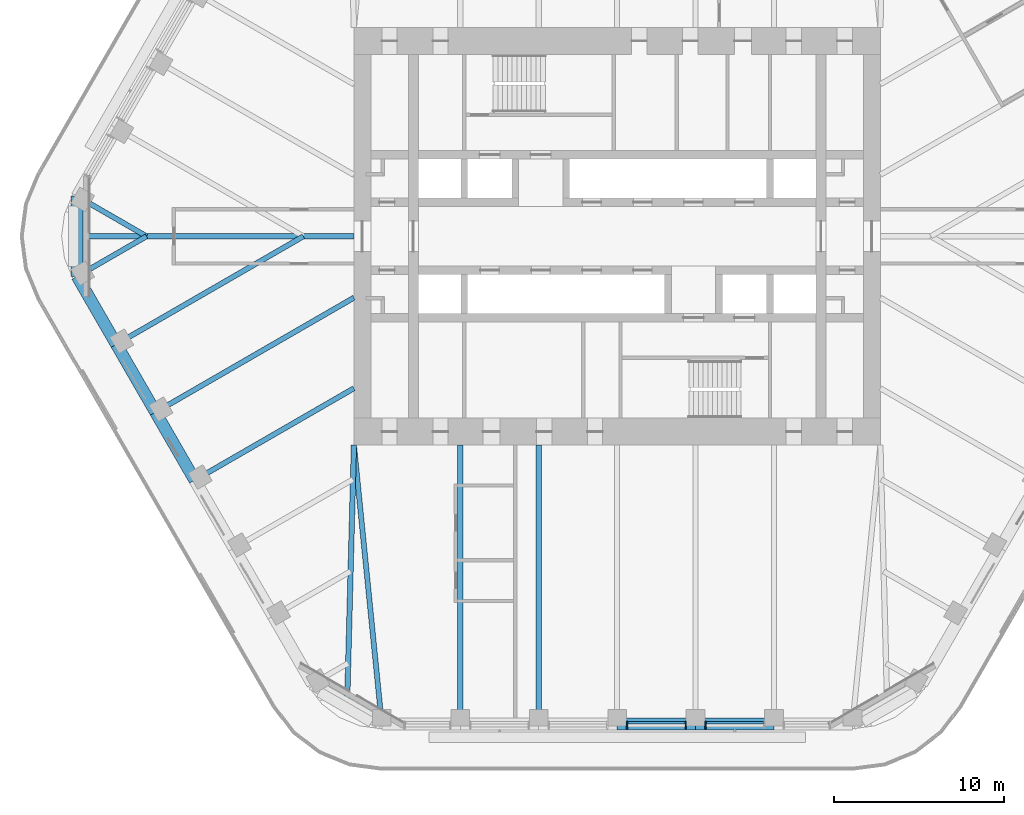
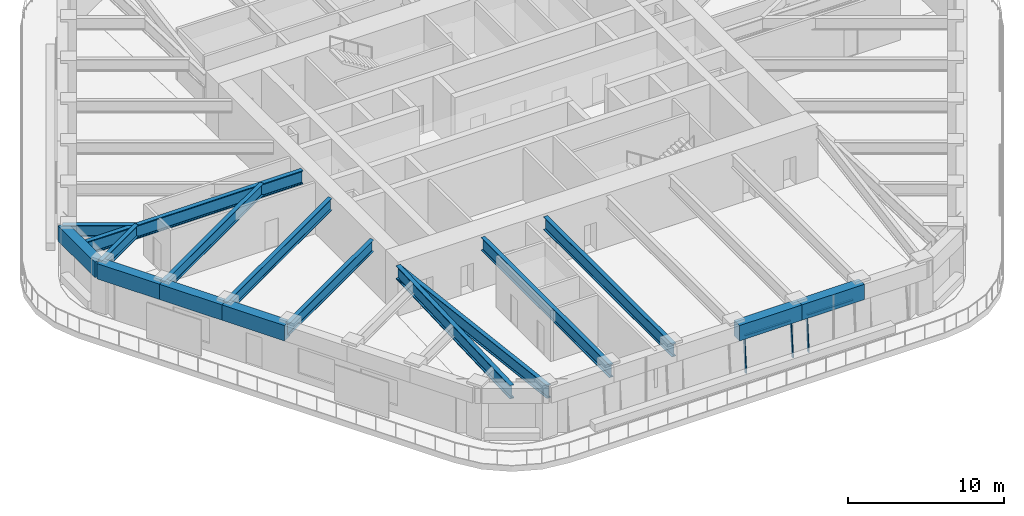
# One storey, part 3 of 20: 16 beams, 5 members, 2 elements without a shape of their own.
"""IFC4 building model written with IfcOpenShell, lengths in metres."""

import ifcopenshell
import ifcopenshell.guid

model = None  # the IFC model being written
_history = None  # IfcOwnerHistory: only IFC2X3 demands one
_inside = {}  # id of a spatial element -> (the spatial element, [elements in it])
_under = {}  # id of a project, library or spatial element -> (it, [spatial elements below it])
_declared = {}  # id of a project -> (the project, [libraries it declares])
_typed = {}  # id of a type object -> (the type object, [elements of that type])
_made_of = {}  # id of a material, layer set ... -> (it, [elements and type objects made of it])


def new_model(schema):
    """Start an empty IFC model of exactly this schema.

    Asked for "IFC4X3", IfcOpenShell would pick the latest addendum, in which some entities
    have other attributes; the version numbers below select the first issue.
    IFC2X3 requires an IfcOwnerHistory on every rooted entity: one is made here for all.
    """
    global model, _history
    if schema == "IFC4X3":
        model = ifcopenshell.file(schema_version=(4, 3, 0, 0))
    else:
        model = ifcopenshell.file(schema=schema)
    _inside.clear()
    _under.clear()
    _declared.clear()
    _typed.clear()
    _made_of.clear()
    _history = None
    if model.schema == "IFC2X3":
        org = make("IfcOrganization", Name="unknown")
        user = make(
            "IfcPersonAndOrganization",
            ThePerson=make("IfcPerson", FamilyName="unknown"),
            TheOrganization=org,
        )
        app = make(
            "IfcApplication",
            ApplicationDeveloper=org,
            Version="unknown",
            ApplicationFullName="unknown",
            ApplicationIdentifier="unknown",
        )
        _history = make(
            "IfcOwnerHistory",
            OwningUser=user,
            OwningApplication=app,
            ChangeAction="ADDED",
            CreationDate=0,
        )
    return model


def make(cls, **values):
    """One entity of the class cls with the attributes given. An attribute that is None is left unset."""
    return model.create_entity(
        cls, **{name: value for name, value in values.items() if value is not None}
    )


def rooted(cls, **values):
    """An entity with a GlobalId (a new one), such as an element, a storey or a relation."""
    return make(cls, GlobalId=ifcopenshell.guid.new(), OwnerHistory=_history, **values)


def si_unit(unit_type, name, prefix=None):
    """IfcSIUnit, for example si_unit("LENGTHUNIT", "METRE", prefix="MILLI")."""
    return make("IfcSIUnit", UnitType=unit_type, Prefix=prefix, Name=name)


def assignment(units):
    """IfcUnitAssignment: the units of a project."""
    return None if units is None else make("IfcUnitAssignment", Units=units)


def point(xyz):
    """IfcCartesianPoint."""
    return None if xyz is None else make("IfcCartesianPoint", Coordinates=xyz)


def direction(xyz):
    """IfcDirection."""
    return None if xyz is None else make("IfcDirection", DirectionRatios=xyz)


def frame(location, z_axis=None, x_axis=None):
    """IfcAxis2Placement3D, a coordinate frame: its origin and axes. An axis left out is left unset."""
    return make(
        "IfcAxis2Placement3D",
        Location=point(location),
        Axis=direction(z_axis),
        RefDirection=direction(x_axis),
    )


def frame_2d(location, x_axis=None):
    """IfcAxis2Placement2D, a coordinate frame in the plane: its origin and x axis."""
    return make(
        "IfcAxis2Placement2D", Location=point(location), RefDirection=direction(x_axis)
    )


def origin():
    """The frame at (0, 0, 0) with its axes left unset."""
    return frame((0.0, 0.0, 0.0))


def origin_2d():
    """The frame at (0, 0) in the plane with its x axis left unset."""
    return frame_2d((0.0, 0.0))


def place(relative_to, where):
    """IfcLocalPlacement: puts the frame where relative to a parent placement (None: the world)."""
    return make(
        "IfcLocalPlacement", PlacementRelTo=relative_to, RelativePlacement=where
    )


def context(
    kind, dimensions, precision=None, world=None, true_north=None, identifier=None
):
    """IfcGeometricRepresentationContext, for example the 3D "Model" context."""
    return make(
        "IfcGeometricRepresentationContext",
        ContextIdentifier=identifier,
        ContextType=kind,
        CoordinateSpaceDimension=dimensions,
        Precision=precision,
        WorldCoordinateSystem=world,
        TrueNorth=true_north,
    )


def subcontext(parent, identifier, kind, view, scale=None):
    """IfcGeometricRepresentationSubContext, for example "Body" below "Model"."""
    return make(
        "IfcGeometricRepresentationSubContext",
        ContextIdentifier=identifier,
        ContextType=kind,
        ParentContext=parent,
        TargetScale=scale,
        TargetView=view,
    )


def project(units=None, contexts=None):
    """IfcProject with its units and contexts."""
    return rooted(
        "IfcProject",
        Name="project",
        RepresentationContexts=contexts,
        UnitsInContext=assignment(units),
    )


def spatial(cls, under=None, at=None, **own):
    """A site, building, storey or space (cls), placed at a placement, below another one or the project."""
    s = rooted(cls, ObjectPlacement=at, **own)
    if under is not None:
        _under.setdefault(under.id(), (under, []))[1].append(s)
    return s


def profile(cls, at=None, kind="AREA", **sizes):
    """A parametric profile (cls). Its sizes go by their IFC names, for example OverallWidth=200.0."""
    return make(cls, ProfileType=kind, Position=at, **sizes)


def rectangle(**sizes):
    """IfcRectangleProfileDef."""
    return profile("IfcRectangleProfileDef", **sizes)


def i_section(**sizes):
    """IfcIShapeProfileDef."""
    return profile("IfcIShapeProfileDef", **sizes)


def extrude(swept, where, along, depth):
    """IfcExtrudedAreaSolid: the profile swept, set in the frame where, extruded along a direction by depth."""
    return make(
        "IfcExtrudedAreaSolid",
        SweptArea=swept,
        Position=where,
        ExtrudedDirection=direction(along),
        Depth=depth,
    )


def shape(context_of_items, identifier, shape_type, items):
    """IfcShapeRepresentation: the items that make up one representation, for example the "Body"."""
    return make(
        "IfcShapeRepresentation",
        ContextOfItems=context_of_items,
        RepresentationIdentifier=identifier,
        RepresentationType=shape_type,
        Items=items,
    )


def material(Name=None, Category=None):
    """IfcMaterial."""
    return make("IfcMaterial", Name=Name, Category=Category)


def material_profile(
    of_material, cross_section, Name=None, Category=None, Priority=None
):
    """IfcMaterialProfile: a cross section and its material."""
    return make(
        "IfcMaterialProfile",
        Name=Name,
        Material=of_material,
        Profile=cross_section,
        Priority=Priority,
        Category=Category,
    )


def profile_set(profiles, Name=None, composite=None):
    """IfcMaterialProfileSet."""
    return make(
        "IfcMaterialProfileSet",
        Name=Name,
        MaterialProfiles=profiles,
        CompositeProfile=composite,
    )


def made_of(thing, what):
    """Note that an element or type object is made of a material, layer set ...; save() writes the relation."""
    if what is not None:
        _made_of.setdefault(what.id(), (what, []))[1].append(thing)
    return thing


def type_object(cls, material=None, **own):
    """A type object (cls), such as IfcWallType, which elements share."""
    return made_of(rooted(cls, **own), material)


def element(
    cls,
    number,
    at=None,
    inside=None,
    cuts=None,
    type_object=None,
    material=None,
    context=None,
    identifier="Body",
    shape_type=None,
    held_by="IfcProductDefinitionShape",
    body=None,
    shapes=None,
    **own,
):
    """One element of the class cls, such as IfcWall. Its Tag is "e" and its number.

    at: its placement. inside: the storey or other place that contains it. cuts: it is an
    opening in that element (IfcRelVoidsElement). A single representation is given by context,
    identifier, shape_type and body (its items); several are given by shapes. held_by: the class
    of the entity that holds the representations. save() writes the other relations.
    """
    e = rooted(cls, Tag="e%d" % number, ObjectPlacement=at, **own)
    if body is not None:
        shapes = [shape(context, identifier, shape_type, body)]
    if shapes is not None:
        e.Representation = make(held_by, Representations=shapes)
    if inside is not None:
        _inside.setdefault(inside.id(), (inside, []))[1].append(e)
    if cuts is not None:
        rooted(
            "IfcRelVoidsElement", RelatingBuildingElement=cuts, RelatedOpeningElement=e
        )
    if type_object is not None:
        _typed.setdefault(type_object.id(), (type_object, []))[1].append(e)
    return made_of(e, material)


def aggregate(whole, parts):
    """IfcRelAggregates: a whole, such as a stair, and the parts it consists of."""
    return rooted("IfcRelAggregates", RelatingObject=whole, RelatedObjects=parts)


def save(model, path):
    """Write the relations noted so far, then the file.

    IfcRelAggregates (storeys below a building ...), IfcRelContainedInSpatialStructure (elements
    in a storey), IfcRelDefinesByType, IfcRelAssociatesMaterial and IfcRelDeclares: one each for
    every whole, place, type object, material and project.
    """
    for whole, parts in _under.values():
        aggregate(whole, parts)
    for where, things in _inside.values():
        rooted(
            "IfcRelContainedInSpatialStructure",
            RelatedElements=things,
            RelatingStructure=where,
        )
    for kind, things in _typed.values():
        rooted("IfcRelDefinesByType", RelatedObjects=things, RelatingType=kind)
    for what, things in _made_of.values():
        rooted("IfcRelAssociatesMaterial", RelatedObjects=things, RelatingMaterial=what)
    for by, libraries in _declared.values():
        rooted("IfcRelDeclares", RelatingContext=by, RelatedDefinitions=libraries)
    model.write(path)


model = new_model("IFC4")

# Units and contexts
model_context = context("Model", 3, precision=1e-05, world=origin(), true_north=direction((0.0, 1.0)))
body_context = subcontext(model_context, "Body", "Model", "MODEL_VIEW")
ifc_project = project(units=[si_unit("LENGTHUNIT", "METRE"), si_unit("AREAUNIT", "SQUARE_METRE"), si_unit("VOLUMEUNIT", "CUBIC_METRE"), si_unit("PLANEANGLEUNIT", "RADIAN"), si_unit("MASSUNIT", "GRAM", prefix="KILO")], contexts=[model_context])

# Site, building, storey
site_placement = place(None, origin())
site = spatial("IfcSite", under=ifc_project, at=site_placement, CompositionType="ELEMENT")
building_placement = place(site_placement, origin())
building = spatial("IfcBuilding", under=site, at=building_placement, Name="Tarfa Lantern Tower", CompositionType="ELEMENT")
storey_placement = place(building_placement, frame((0.0, 0.0, 291.10009765625)))
storey = spatial("IfcBuildingStorey", under=building, at=storey_placement, Name="L66", CompositionType="ELEMENT", Elevation=291.10009765625)

# Curtain wall, members
ifc_material_1 = material(Name="Aluminium framed curtain wall", Category="aluminium")
curtain_wall_type = type_object("IfcCurtainWallType", Name="CW3 CANTED GLAZING HIGH ZONE 2800", PredefinedType="USERDEFINED", material=ifc_material_1)
curtain_wall_1_placement = place(storey_placement, origin())
curtain_wall_1 = element("IfcCurtainWall", 1, at=curtain_wall_1_placement, inside=storey, type_object=curtain_wall_type, Name="CW3 S L66", ObjectType="CURTAIN WALL", PredefinedType="USERDEFINED")
ifc_material_2 = material(Name="Aluminium mullion", Category="aluminium")
ifc_material_profile_1 = material_profile(ifc_material_2, rectangle(XDim=0.06494140625, YDim=0.199951171875, at=origin_2d()), Name="AL MULLION 65x200")
ifc_profile_set_1 = profile_set([ifc_material_profile_1], Name="Aluminium mullion")
member_type_1 = type_object("IfcMemberType", Name="CWM1 MULLION 65x200", PredefinedType="MULLION", material=ifc_profile_set_1)
member_1_placement = place(storey_placement, frame((0.58251953125, -28.89990234375, 0.0), z_axis=(0.0, 0.088938092736, 0.996037155763), x_axis=(-1.0, 0.0, 0.0)))
member_1 = element("IfcMember", 2, at=member_1_placement, type_object=member_type_1, Name="CW3 mullion 1", PredefinedType="MULLION", context=body_context, shape_type="SweptSolid", body=[
    extrude(rectangle(XDim=0.06494140625, YDim=0.199951171875, at=origin_2d()), origin(), (0.0, 0.0, 1.0), 2.81103515625),
])
member_2_placement = place(storey_placement, frame((4.036376953125, -28.89990234375, 0.0), z_axis=(0.0, 0.088938092736, 0.996037155763), x_axis=(-1.0, 0.0, 0.0)))
member_2 = element("IfcMember", 3, at=member_2_placement, type_object=member_type_1, Name="CW3 mullion 2", PredefinedType="MULLION", context=body_context, shape_type="SweptSolid", body=[
    extrude(rectangle(XDim=0.06494140625, YDim=0.199951171875, at=origin_2d()), origin(), (0.0, 0.0, 1.0), 2.81103515625),
])

# Curtain wall, member
curtain_wall_2_placement = place(storey_placement, origin())
curtain_wall_2 = element("IfcCurtainWall", 4, at=curtain_wall_2_placement, inside=storey, type_object=curtain_wall_type, Name="CW3 S L66", ObjectType="CURTAIN WALL", PredefinedType="USERDEFINED")
member_3_placement = place(storey_placement, frame((5.201416015625, -28.89990234375, 0.0), z_axis=(0.0, 0.088938092736, 0.996037155763), x_axis=(-1.0, 0.0, 0.0)))
member_3 = element("IfcMember", 5, at=member_3_placement, type_object=member_type_1, Name="CW3 mullion 1", PredefinedType="MULLION", context=body_context, shape_type="SweptSolid", body=[
    extrude(rectangle(XDim=0.06494140625, YDim=0.199951171875, at=origin_2d()), origin(), (0.0, 0.0, 1.0), 2.81103515625),
])

# Member
ifc_material_3 = material(Name="Aluminium transom", Category="aluminium")
ifc_material_profile_2 = material_profile(ifc_material_3, rectangle(XDim=0.14990234375, YDim=0.06494140625, at=origin_2d()), Name="AL TRANSOM 150x65")
ifc_profile_set_2 = profile_set([ifc_material_profile_2], Name="Aluminium transom")
member_type_2 = type_object("IfcMemberType", Name="CWT1 TRANSOM 150x65", PredefinedType="USERDEFINED", material=ifc_profile_set_2)
member_4_placement = place(storey_placement, frame((0.614990234375, -28.65283203125, 2.767333984375), z_axis=(1.0, 0.0, 0.0), x_axis=(0.0, 1.0, 0.0)))
member_4 = element("IfcMember", 6, at=member_4_placement, type_object=member_type_2, Name="CW3 transom 1.2", ObjectType="TRANSOM", PredefinedType="USERDEFINED", context=body_context, shape_type="SweptSolid", body=[
    extrude(rectangle(XDim=0.14990234375, YDim=0.06494140625, at=origin_2d()), origin(), (0.0, 0.0, 1.0), 3.388916015625),
])

aggregate(curtain_wall_1, [member_1, member_2, member_4])

member_5_placement = place(storey_placement, frame((5.23388671875, -28.65283203125, 2.767333984375), z_axis=(1.0, 0.0, 0.0), x_axis=(0.0, 1.0, 0.0)))
member_5 = element("IfcMember", 7, at=member_5_placement, type_object=member_type_2, Name="CW3 transom 1.2", ObjectType="TRANSOM", PredefinedType="USERDEFINED", context=body_context, shape_type="SweptSolid", body=[
    extrude(rectangle(XDim=0.14990234375, YDim=0.06494140625, at=origin_2d()), origin(), (0.0, 0.0, 1.0), 3.388671875),
])

aggregate(curtain_wall_2, [member_3, member_5])

# Beams
ifc_material_4 = material(Name="Concrete C80/95", Category="concrete")
ifc_material_profile_3 = material_profile(ifc_material_4, rectangle(XDim=0.699951171875, YDim=1.199951171875, at=origin_2d()), Name="RC 700x1200")
ifc_profile_set_3 = profile_set([ifc_material_profile_3], Name="Concrete C80/95")
beam_type_1 = type_object("IfcBeamType", Name="EB3 RC 700x1200", PredefinedType="SPANDREL", material=ifc_profile_set_3)
beam_1_placement = place(storey_placement, frame((-31.800537109375, 2.360107421875, 3.39990234375), z_axis=(0.0, -1.0, 0.0), x_axis=(1.0, 0.0, 0.0)))
element("IfcBeam", 8, at=beam_1_placement, inside=storey, type_object=beam_type_1, Name="Edge beam NW6", PredefinedType="SPANDREL", context=body_context, shape_type="SweptSolid", body=[
    extrude(rectangle(XDim=0.699951171875, YDim=1.199951171875, at=origin_2d()), origin(), (0.0, 0.0, 1.0), 4.72021484375),
])
beam_2_placement = place(storey_placement, frame((-31.800537109375, -2.360107421875, 3.39990234375), z_axis=(0.500027479704, -0.866009537788, 0.0), x_axis=(0.866009537788, 0.500027479704, 0.0)))
element("IfcBeam", 9, at=beam_2_placement, inside=storey, type_object=beam_type_1, Name="Edge beam SW0", PredefinedType="SPANDREL", context=body_context, shape_type="SweptSolid", body=[
    extrude(rectangle(XDim=0.699951171875, YDim=1.199951171875, at=origin_2d()), origin(), (0.0, 0.0, 1.0), 4.618896484375),
])
for number, where, z_axis, x_axis, name in (
    (10, (-29.490966796875, -6.360107421875, 3.39990234375), (0.499987836815, -0.866032426089, 0.0), (0.866032426089, 0.499987836815, 0.0), "Edge beam SW1"),
    (11, (-27.181640625, -10.360107421875, 3.39990234375), (0.499987836815, -0.866032426089, 0.0), (0.866032426089, 0.499987836815, 0.0), "Edge beam SW2"),
):
    element("IfcBeam", number, at=place(storey_placement, frame(where, z_axis=z_axis, x_axis=x_axis)), inside=storey, type_object=beam_type_1, Name=name, PredefinedType="SPANDREL", context=body_context, shape_type="SweptSolid", body=[
        extrude(rectangle(XDim=0.699951171875, YDim=1.199951171875, at=origin_2d()), origin(), (0.0, 0.0, 1.0), 4.61865234375),
    ])
beam_3_placement = place(storey_placement, frame((0.0, -28.719970703125, 3.39990234375), z_axis=(1.0, 0.0, 0.0), x_axis=(0.0, 1.0, 0.0)))
element("IfcBeam", 12, at=beam_3_placement, inside=storey, type_object=beam_type_1, Name="Edge beam S3", PredefinedType="SPANDREL", context=body_context, shape_type="SweptSolid", body=[
    extrude(rectangle(XDim=0.699951171875, YDim=1.199951171875, at=origin_2d()), origin(), (0.0, 0.0, 1.0), 4.618896484375),
])
beam_4_placement = place(storey_placement, frame((4.618896484375, -28.719970703125, 3.39990234375), z_axis=(1.0, 0.0, 0.0), x_axis=(0.0, 1.0, 0.0)))
element("IfcBeam", 13, at=beam_4_placement, inside=storey, type_object=beam_type_1, Name="Edge beam S4", PredefinedType="SPANDREL", context=body_context, shape_type="SweptSolid", body=[
    extrude(rectangle(XDim=0.699951171875, YDim=1.199951171875, at=origin_2d()), origin(), (0.0, 0.0, 1.0), 4.61865234375),
])
ifc_material_5 = material(Name="Steel S460M", Category="steel")
ifc_material_profile_4 = material_profile(ifc_material_5, i_section(OverallWidth=0.302001953125, OverallDepth=1.008056640625, WebThickness=0.02099609375, FlangeThickness=0.0400390625, FilletRadius=0.030029296875, at=origin_2d()), Name="UB1016x305x349")
ifc_profile_set_4 = profile_set([ifc_material_profile_4], Name="Steel S460M")
beam_type_2 = type_object("IfcBeamType", Name="UB1016x305x349", PredefinedType="BEAM", material=ifc_profile_set_4)
beam_5_placement = place(storey_placement, frame((-13.8564453125, -28.719970703125, 3.495849609375), z_axis=(-0.099597466746, 0.995027810977, 0.0), x_axis=(-0.995027810977, -0.099597466746, 0.0)))
element("IfcBeam", 14, at=beam_5_placement, inside=storey, type_object=beam_type_2, Name="Floor beam S0", PredefinedType="BEAM", context=body_context, shape_type="SweptSolid", body=[
    extrude(i_section(OverallWidth=0.302001953125, OverallDepth=1.008056640625, WebThickness=0.02099609375, FlangeThickness=0.0400390625, FilletRadius=0.030029296875, at=origin_2d()), origin(), (0.0, 0.0, 1.0), 16.501953125),
])
for number, where, z_axis, x_axis, name in (
    (15, (-9.237548828125, -28.719970703125, 3.495849609375), (0.0, 1.0, 0.0), (-1.0, 0.0, 0.0), "Floor beam S1"),
    (16, (-4.618896484375, -28.719970703125, 3.495849609375), (0.0, 1.0, 0.0), (-1.0, 0.0, 0.0), "Floor beam S2"),
):
    element("IfcBeam", number, at=place(storey_placement, frame(where, z_axis=z_axis, x_axis=x_axis)), inside=storey, type_object=beam_type_2, Name=name, PredefinedType="BEAM", context=body_context, shape_type="SweptSolid", body=[
        extrude(i_section(OverallWidth=0.302001953125, OverallDepth=1.008056640625, WebThickness=0.02099609375, FlangeThickness=0.0400390625, FilletRadius=0.030029296875, at=origin_2d()), origin(), (0.0, 0.0, 1.0), 16.419921875),
    ])
ifc_material_profile_5 = material_profile(ifc_material_5, i_section(OverallWidth=0.314208984375, OverallDepth=1.055908203125, WebThickness=0.035888671875, FlangeThickness=0.06396484375, FilletRadius=0.030029296875, at=origin_2d()), Name="UB1016x305x584")
ifc_profile_set_5 = profile_set([ifc_material_profile_5], Name="Steel S460M")
beam_type_3 = type_object("IfcBeamType", Name="UB1016x305x584", PredefinedType="BEAM", material=ifc_profile_set_5)
beam_6_placement = place(storey_placement, frame((-15.5, 0.0, 3.471923828125), z_axis=(-1.0, 0.0, 0.0), x_axis=(0.0, -1.0, 0.0)))
element("IfcBeam", 17, at=beam_6_placement, inside=storey, type_object=beam_type_3, Name="Hip girder W", PredefinedType="BEAM", context=body_context, shape_type="SweptSolid", body=[
    extrude(i_section(OverallWidth=0.314208984375, OverallDepth=1.055908203125, WebThickness=0.035888671875, FlangeThickness=0.06396484375, FilletRadius=0.030029296875, at=origin_2d()), origin(), (0.0, 0.0, 1.0), 16.300537109375),
])
beam_7_placement = place(storey_placement, frame((-15.5, -12.300048828125, 3.471923828125), z_axis=(-0.026247301989, -0.999655480222, 0.0), x_axis=(0.999655480222, -0.026247301989, 0.0)))
element("IfcBeam", 18, at=beam_7_placement, inside=storey, type_object=beam_type_3, Name="Hip girder SW", PredefinedType="BEAM", context=body_context, shape_type="SweptSolid", body=[
    extrude(i_section(OverallWidth=0.314208984375, OverallDepth=1.055908203125, WebThickness=0.035888671875, FlangeThickness=0.06396484375, FilletRadius=0.030029296875, at=origin_2d()), origin(), (0.0, 0.0, 1.0), 15.245361328125),
])
ifc_material_profile_6 = material_profile(ifc_material_5, i_section(OverallWidth=0.305419921875, OverallDepth=0.91845703125, WebThickness=0.017333984375, FlangeThickness=0.02783203125, FilletRadius=0.01904296875, at=origin_2d()), Name="UB914x305x253")
ifc_profile_set_6 = profile_set([ifc_material_profile_6], Name="Steel S460M")
beam_type_4 = type_object("IfcBeamType", Name="UB914x305x253", PredefinedType="BEAM", material=ifc_profile_set_6)
for number, where, z_axis, x_axis, name in (
    (19, (-31.800537109375, 2.360107421875, 3.540771484375), (0.866015897305, -0.500016465344, 0.0), (0.500016465344, 0.866015897305, 0.0), "Floor beam NW6"),
    (20, (-31.800537109375, -2.360107421875, 3.540771484375), (0.866015897305, 0.500016465344, 0.0), (-0.500016465344, 0.866015897305, 0.0), "Floor beam SW0"),
):
    element("IfcBeam", number, at=place(storey_placement, frame(where, z_axis=z_axis, x_axis=x_axis)), inside=storey, type_object=beam_type_4, Name=name, PredefinedType="BEAM", context=body_context, shape_type="SweptSolid", body=[
        extrude(i_section(OverallWidth=0.305419921875, OverallDepth=0.91845703125, WebThickness=0.017333984375, FlangeThickness=0.02783203125, FilletRadius=0.01904296875, at=origin_2d()), origin(), (0.0, 0.0, 1.0), 4.719970703125),
    ])
beam_8_placement = place(storey_placement, frame((-29.490966796875, -6.360107421875, 3.540771484375), z_axis=(0.866022258038, 0.500005448553, 0.0), x_axis=(-0.500005448553, 0.866022258038, 0.0)))
element("IfcBeam", 21, at=beam_8_placement, inside=storey, type_object=beam_type_4, Name="Floor beam SW1", PredefinedType="BEAM", context=body_context, shape_type="SweptSolid", body=[
    extrude(i_section(OverallWidth=0.305419921875, OverallDepth=0.91845703125, WebThickness=0.017333984375, FlangeThickness=0.02783203125, FilletRadius=0.01904296875, at=origin_2d()), origin(), (0.0, 0.0, 1.0), 12.719970703125),
])
beam_9_placement = place(storey_placement, frame((-27.181640625, -10.360107421875, 3.540771484375), z_axis=(0.866018002818, 0.500012818631, 0.0), x_axis=(-0.500012818631, 0.866018002818, 0.0)))
element("IfcBeam", 22, at=beam_9_placement, inside=storey, type_object=beam_type_4, Name="Floor beam SW2", PredefinedType="BEAM", context=body_context, shape_type="SweptSolid", body=[
    extrude(i_section(OverallWidth=0.305419921875, OverallDepth=0.91845703125, WebThickness=0.017333984375, FlangeThickness=0.02783203125, FilletRadius=0.01904296875, at=origin_2d()), origin(), (0.0, 0.0, 1.0), 13.489013671875),
])
beam_10_placement = place(storey_placement, frame((-24.872314453125, -14.360107421875, 3.540771484375), z_axis=(0.8660244219, 0.500001700669, 0.0), x_axis=(-0.500001700669, 0.8660244219, 0.0)))
element("IfcBeam", 23, at=beam_10_placement, inside=storey, type_object=beam_type_4, Name="Floor beam SW3", PredefinedType="BEAM", context=body_context, shape_type="SweptSolid", body=[
    extrude(i_section(OverallWidth=0.305419921875, OverallDepth=0.91845703125, WebThickness=0.017333984375, FlangeThickness=0.02783203125, FilletRadius=0.01904296875, at=origin_2d()), origin(), (0.0, 0.0, 1.0), 10.822265625),
])

save(model, "model.ifc")
